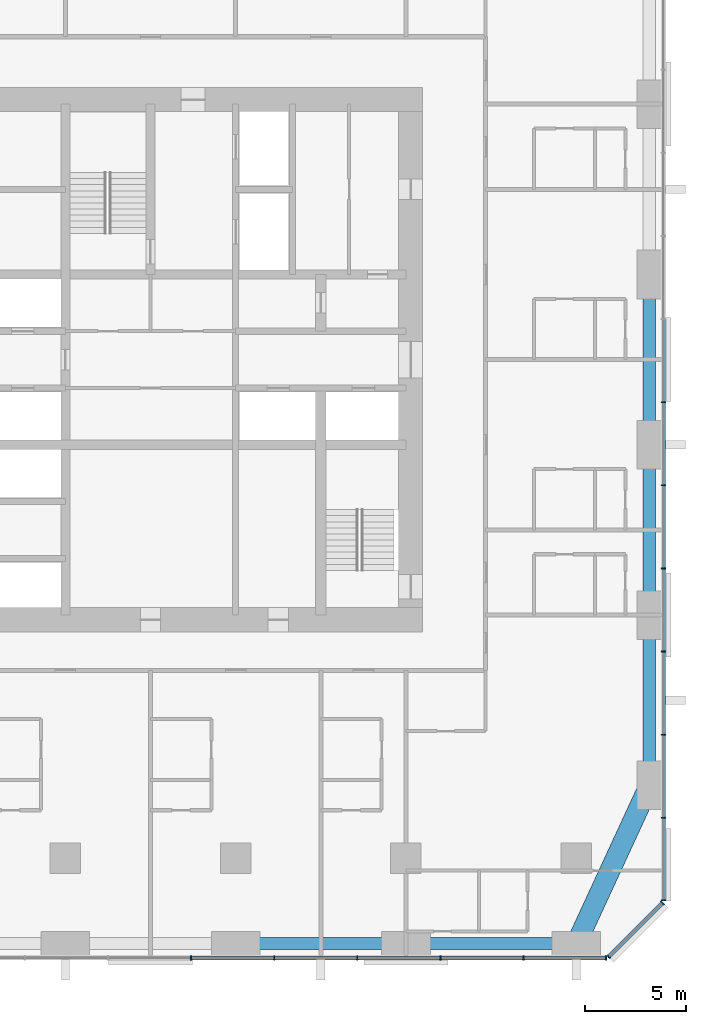
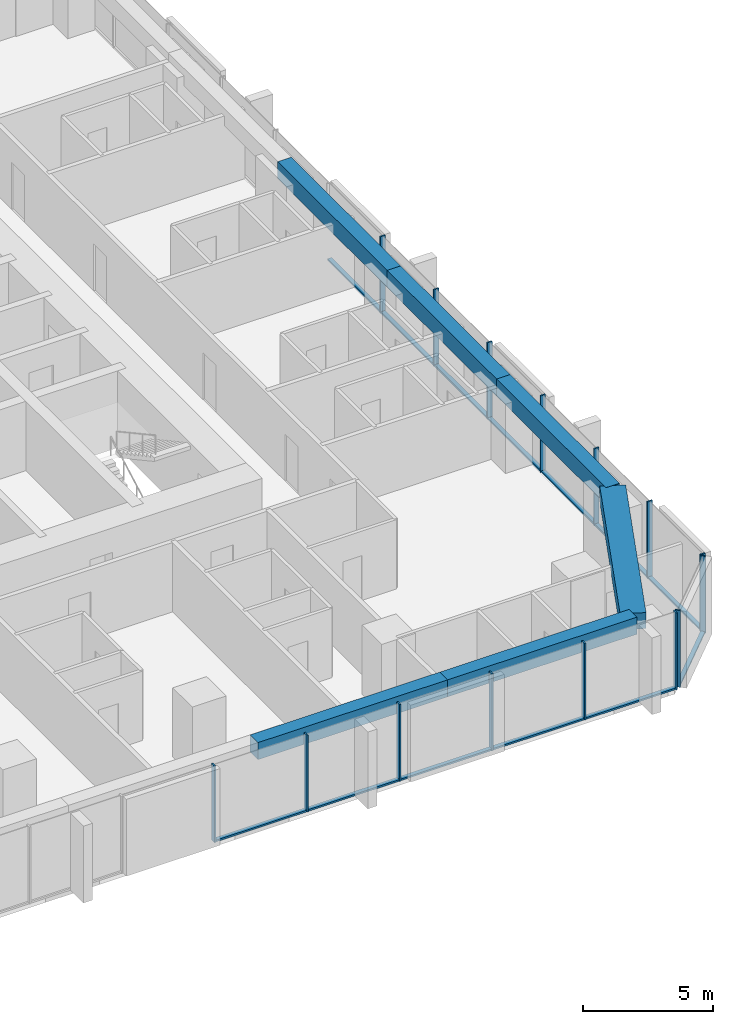
# One storey, part 4 of 14: 28 members, 6 beams, 3 elements without a shape of their own.
"""IFC4 building model written with IfcOpenShell, lengths in metres."""

from ifc_helpers import new_model, si_unit, direction, frame, origin, origin_2d, place, context, subcontext, project, spatial, rectangle, extrude, material, material_profile, profile_set, type_object, element, aggregate, save


model = new_model("IFC4")

# Units and contexts
model_context = context("Model", 3, precision=1e-05, world=origin(), true_north=direction((0.0, 1.0)))
body_context = subcontext(model_context, "Body", "Model", "MODEL_VIEW")
ifc_project = project(units=[si_unit("LENGTHUNIT", "METRE"), si_unit("AREAUNIT", "SQUARE_METRE"), si_unit("VOLUMEUNIT", "CUBIC_METRE"), si_unit("PLANEANGLEUNIT", "RADIAN"), si_unit("MASSUNIT", "GRAM", prefix="KILO")], contexts=[model_context])

# Site, building, storey
site_placement = place(None, origin())
site = spatial("IfcSite", under=ifc_project, at=site_placement, CompositionType="ELEMENT")
building_placement = place(site_placement, origin())
building = spatial("IfcBuilding", under=site, at=building_placement, Name="Dunama Terrace Hotel", CompositionType="ELEMENT")
storey_placement = place(building_placement, frame((0.0, 0.0, 104.39990234375)))
storey = spatial("IfcBuildingStorey", under=building, at=storey_placement, Name="L26", CompositionType="ELEMENT", Elevation=104.39990234375)

# Curtain wall, members
ifc_material_1 = material(Name="Aluminium curtain wall system", Category="aluminium")
curtain_wall_type = type_object("IfcCurtainWallType", Name="Unitised fritted glass wall CW-B", PredefinedType="NOTDEFINED", material=ifc_material_1)
curtain_wall_1_placement = place(storey_placement, origin())
curtain_wall_1 = element("IfcCurtainWall", 1, at=curtain_wall_1_placement, inside=storey, type_object=curtain_wall_type, Name="Unitised fritted glass wall CW-B L26", PredefinedType="NOTDEFINED")
ifc_material_2 = material(Name="Aluminium mullion", Category="aluminium")
ifc_material_profile_1 = material_profile(ifc_material_2, rectangle(XDim=0.06494140625, YDim=0.219970703125, at=origin_2d()), Name="CWB MULLION 65X220")
ifc_profile_set_1 = profile_set([ifc_material_profile_1], Name="Aluminium mullion")
member_type_1 = type_object("IfcMemberType", Name="CWB mullion 65x220", PredefinedType="MULLION", material=ifc_profile_set_1)
member_1_placement = place(storey_placement, frame((31.39990234375, -0.110107421875, 0.0), z_axis=(0.0, 0.0, 1.0), x_axis=(1.0, 0.0, 0.0)))
member_1 = element("IfcMember", 2, at=member_1_placement, type_object=member_type_1, Name="CWB mullion", PredefinedType="MULLION", context=body_context, shape_type="SweptSolid", body=[
    extrude(rectangle(XDim=0.06494140625, YDim=0.219970703125, at=origin_2d()), origin(), (0.0, 0.0, 1.0), 3.60009765625),
])
member_2_placement = place(storey_placement, frame((35.5, -0.110107421875, 0.0), z_axis=(0.0, 0.0, 1.0), x_axis=(1.0, 0.0, 0.0)))
member_2 = element("IfcMember", 3, at=member_2_placement, type_object=member_type_1, Name="CWB mullion", PredefinedType="MULLION", context=body_context, shape_type="SweptSolid", body=[
    extrude(rectangle(XDim=0.06494140625, YDim=0.219970703125, at=origin_2d()), origin(), (0.0, 0.0, 1.0), 3.60009765625),
])
member_3_placement = place(storey_placement, frame((39.60009765625, -0.110107421875, 0.0), z_axis=(0.0, 0.0, 1.0), x_axis=(1.0, 0.0, 0.0)))
member_3 = element("IfcMember", 4, at=member_3_placement, type_object=member_type_1, Name="CWB mullion", PredefinedType="MULLION", context=body_context, shape_type="SweptSolid", body=[
    extrude(rectangle(XDim=0.06494140625, YDim=0.219970703125, at=origin_2d()), origin(), (0.0, 0.0, 1.0), 3.60009765625),
])
member_4_placement = place(storey_placement, frame((43.699951171875, -0.110107421875, 0.0), z_axis=(0.0, 0.0, 1.0), x_axis=(1.0, 0.0, 0.0)))
member_4 = element("IfcMember", 5, at=member_4_placement, type_object=member_type_1, Name="CWB mullion", PredefinedType="MULLION", context=body_context, shape_type="SweptSolid", body=[
    extrude(rectangle(XDim=0.06494140625, YDim=0.219970703125, at=origin_2d()), origin(), (0.0, 0.0, 1.0), 3.60009765625),
])
member_5_placement = place(storey_placement, frame((47.800048828125, -0.110107421875, 0.0), z_axis=(0.0, 0.0, 1.0), x_axis=(1.0, 0.0, 0.0)))
member_5 = element("IfcMember", 6, at=member_5_placement, type_object=member_type_1, Name="CWB mullion", PredefinedType="MULLION", context=body_context, shape_type="SweptSolid", body=[
    extrude(rectangle(XDim=0.06494140625, YDim=0.219970703125, at=origin_2d()), origin(), (0.0, 0.0, 1.0), 3.60009765625),
])
member_6_placement = place(storey_placement, frame((51.866943359375, -0.110107421875, 0.0), z_axis=(0.0, 0.0, 1.0), x_axis=(1.0, 0.0, 0.0)))
member_6 = element("IfcMember", 7, at=member_6_placement, type_object=member_type_1, Name="CWB mullion", PredefinedType="MULLION", context=body_context, shape_type="SweptSolid", body=[
    extrude(rectangle(XDim=0.06494140625, YDim=0.219970703125, at=origin_2d()), origin(), (0.0, 0.0, 1.0), 3.60009765625),
])

curtain_wall_2_placement = place(storey_placement, origin())
curtain_wall_2 = element("IfcCurtainWall", 8, at=curtain_wall_2_placement, inside=storey, type_object=curtain_wall_type, Name="Unitised fritted glass wall CW-B L26", PredefinedType="NOTDEFINED")
member_7_placement = place(storey_placement, frame((52.0009765625, -0.054931640625, 0.0), z_axis=(0.0, 0.0, 1.0), x_axis=(0.707106781187, 0.707106781187, 0.0)))
member_7 = element("IfcMember", 9, at=member_7_placement, type_object=member_type_1, Name="CWB mullion", PredefinedType="MULLION", context=body_context, shape_type="SweptSolid", body=[
    extrude(rectangle(XDim=0.06494140625, YDim=0.219970703125, at=origin_2d()), origin(), (0.0, 0.0, 1.0), 3.60009765625),
])
member_8_placement = place(storey_placement, frame((54.655029296875, 2.59912109375, 0.0), z_axis=(0.0, 0.0, 1.0), x_axis=(0.707106781187, 0.707106781187, 0.0)))
member_8 = element("IfcMember", 10, at=member_8_placement, type_object=member_type_1, Name="CWB mullion", PredefinedType="MULLION", context=body_context, shape_type="SweptSolid", body=[
    extrude(rectangle(XDim=0.06494140625, YDim=0.219970703125, at=origin_2d()), origin(), (0.0, 0.0, 1.0), 3.60009765625),
])

curtain_wall_3_placement = place(storey_placement, origin())
curtain_wall_3 = element("IfcCurtainWall", 11, at=curtain_wall_3_placement, inside=storey, type_object=curtain_wall_type, Name="Unitised fritted glass wall CW-B L26", PredefinedType="NOTDEFINED")
member_9_placement = place(storey_placement, frame((54.7099609375, 2.73291015625, 0.0), z_axis=(0.0, 0.0, 1.0), x_axis=(0.0, 1.0, 0.0)))
member_9 = element("IfcMember", 12, at=member_9_placement, type_object=member_type_1, Name="CWB mullion", PredefinedType="MULLION", context=body_context, shape_type="SweptSolid", body=[
    extrude(rectangle(XDim=0.06494140625, YDim=0.219970703125, at=origin_2d()), origin(), (0.0, 0.0, 1.0), 3.60009765625),
])
member_10_placement = place(storey_placement, frame((54.7099609375, 6.800048828125, 0.0), z_axis=(0.0, 0.0, 1.0), x_axis=(0.0, 1.0, 0.0)))
member_10 = element("IfcMember", 13, at=member_10_placement, type_object=member_type_1, Name="CWB mullion", PredefinedType="MULLION", context=body_context, shape_type="SweptSolid", body=[
    extrude(rectangle(XDim=0.06494140625, YDim=0.219970703125, at=origin_2d()), origin(), (0.0, 0.0, 1.0), 3.60009765625),
])
member_11_placement = place(storey_placement, frame((54.7099609375, 10.89990234375, 0.0), z_axis=(0.0, 0.0, 1.0), x_axis=(0.0, 1.0, 0.0)))
member_11 = element("IfcMember", 14, at=member_11_placement, type_object=member_type_1, Name="CWB mullion", PredefinedType="MULLION", context=body_context, shape_type="SweptSolid", body=[
    extrude(rectangle(XDim=0.06494140625, YDim=0.219970703125, at=origin_2d()), origin(), (0.0, 0.0, 1.0), 3.60009765625),
])
member_12_placement = place(storey_placement, frame((54.7099609375, 15.0, 0.0), z_axis=(0.0, 0.0, 1.0), x_axis=(0.0, 1.0, 0.0)))
member_12 = element("IfcMember", 15, at=member_12_placement, type_object=member_type_1, Name="CWB mullion", PredefinedType="MULLION", context=body_context, shape_type="SweptSolid", body=[
    extrude(rectangle(XDim=0.06494140625, YDim=0.219970703125, at=origin_2d()), origin(), (0.0, 0.0, 1.0), 3.60009765625),
])
member_13_placement = place(storey_placement, frame((54.7099609375, 19.10009765625, 0.0), z_axis=(0.0, 0.0, 1.0), x_axis=(0.0, 1.0, 0.0)))
member_13 = element("IfcMember", 16, at=member_13_placement, type_object=member_type_1, Name="CWB mullion", PredefinedType="MULLION", context=body_context, shape_type="SweptSolid", body=[
    extrude(rectangle(XDim=0.06494140625, YDim=0.219970703125, at=origin_2d()), origin(), (0.0, 0.0, 1.0), 3.60009765625),
])
member_14_placement = place(storey_placement, frame((54.7099609375, 23.199951171875, 0.0), z_axis=(0.0, 0.0, 1.0), x_axis=(0.0, 1.0, 0.0)))
member_14 = element("IfcMember", 17, at=member_14_placement, type_object=member_type_1, Name="CWB mullion", PredefinedType="MULLION", context=body_context, shape_type="SweptSolid", body=[
    extrude(rectangle(XDim=0.06494140625, YDim=0.219970703125, at=origin_2d()), origin(), (0.0, 0.0, 1.0), 3.60009765625),
])
member_15_placement = place(storey_placement, frame((54.7099609375, 27.300048828125, 0.0), z_axis=(0.0, 0.0, 1.0), x_axis=(0.0, 1.0, 0.0)))
member_15 = element("IfcMember", 18, at=member_15_placement, type_object=member_type_1, Name="CWB mullion", PredefinedType="MULLION", context=body_context, shape_type="SweptSolid", body=[
    extrude(rectangle(XDim=0.06494140625, YDim=0.219970703125, at=origin_2d()), origin(), (0.0, 0.0, 1.0), 3.60009765625),
])

# Member
ifc_material_3 = material(Name="Aluminium transom", Category="aluminium")
ifc_material_profile_2 = material_profile(ifc_material_3, rectangle(XDim=0.179931640625, YDim=0.080078125, at=origin_2d()), Name="CWB TRANSOM 180X80")
ifc_profile_set_2 = profile_set([ifc_material_profile_2], Name="Aluminium transom")
member_type_2 = type_object("IfcMemberType", Name="CWB transom 180x80", PredefinedType="USERDEFINED", material=ifc_profile_set_2)
member_16_placement = place(storey_placement, frame((31.431884765625, -0.110107421875, 0.0400390625), z_axis=(1.0, 0.0, 0.0), x_axis=(0.0, 1.0, 0.0)))
member_16 = element("IfcMember", 19, at=member_16_placement, type_object=member_type_2, Name="CWB transom", ObjectType="TRANSOM", PredefinedType="USERDEFINED", context=body_context, shape_type="SweptSolid", body=[
    extrude(rectangle(XDim=0.179931640625, YDim=0.080078125, at=origin_2d()), origin(), (0.0, 0.0, 1.0), 4.0361328125),
])

member_17_placement = place(storey_placement, frame((35.531982421875, -0.110107421875, 0.0400390625), z_axis=(1.0, 0.0, 0.0), x_axis=(0.0, 1.0, 0.0)))
member_17 = element("IfcMember", 20, at=member_17_placement, type_object=member_type_2, Name="CWB transom", ObjectType="TRANSOM", PredefinedType="USERDEFINED", context=body_context, shape_type="SweptSolid", body=[
    extrude(rectangle(XDim=0.179931640625, YDim=0.080078125, at=origin_2d()), origin(), (0.0, 0.0, 1.0), 4.0361328125),
])

member_18_placement = place(storey_placement, frame((39.633056640625, -0.110107421875, 0.0400390625), z_axis=(1.0, 0.0, 0.0), x_axis=(0.0, 1.0, 0.0)))
member_18 = element("IfcMember", 21, at=member_18_placement, type_object=member_type_2, Name="CWB transom", ObjectType="TRANSOM", PredefinedType="USERDEFINED", context=body_context, shape_type="SweptSolid", body=[
    extrude(rectangle(XDim=0.179931640625, YDim=0.080078125, at=origin_2d()), origin(), (0.0, 0.0, 1.0), 4.034912109375),
])

member_19_placement = place(storey_placement, frame((43.73291015625, -0.110107421875, 0.0400390625), z_axis=(1.0, 0.0, 0.0), x_axis=(0.0, 1.0, 0.0)))
member_19 = element("IfcMember", 22, at=member_19_placement, type_object=member_type_2, Name="CWB transom", ObjectType="TRANSOM", PredefinedType="USERDEFINED", context=body_context, shape_type="SweptSolid", body=[
    extrude(rectangle(XDim=0.179931640625, YDim=0.080078125, at=origin_2d()), origin(), (0.0, 0.0, 1.0), 4.0341796875),
])

member_20_placement = place(storey_placement, frame((47.83203125, -0.110107421875, 0.0400390625), z_axis=(1.0, 0.0, 0.0), x_axis=(0.0, 1.0, 0.0)))
member_20 = element("IfcMember", 23, at=member_20_placement, type_object=member_type_2, Name="CWB transom", ObjectType="TRANSOM", PredefinedType="USERDEFINED", context=body_context, shape_type="SweptSolid", body=[
    extrude(rectangle(XDim=0.179931640625, YDim=0.080078125, at=origin_2d()), origin(), (0.0, 0.0, 1.0), 4.0029296875),
])

aggregate(curtain_wall_1, [member_1, member_2, member_3, member_4, member_5, member_6, member_16, member_17, member_18, member_19, member_20])

member_21_placement = place(storey_placement, frame((52.02392578125, -0.031982421875, 0.0400390625), z_axis=(0.707139876915, 0.707073683909, 0.0), x_axis=(-0.707073683909, 0.707139876915, 0.0)))
member_21 = element("IfcMember", 24, at=member_21_placement, type_object=member_type_2, Name="CWB transom", ObjectType="TRANSOM", PredefinedType="USERDEFINED", context=body_context, shape_type="SweptSolid", body=[
    extrude(rectangle(XDim=0.179931640625, YDim=0.080078125, at=origin_2d()), origin(), (0.0, 0.0, 1.0), 3.688232421875),
])

aggregate(curtain_wall_2, [member_7, member_8, member_21])

member_22_placement = place(storey_placement, frame((54.7099609375, 2.764892578125, 0.0400390625), z_axis=(0.0, 1.0, 0.0), x_axis=(-1.0, 0.0, 0.0)))
member_22 = element("IfcMember", 25, at=member_22_placement, type_object=member_type_2, Name="CWB transom", ObjectType="TRANSOM", PredefinedType="USERDEFINED", context=body_context, shape_type="SweptSolid", body=[
    extrude(rectangle(XDim=0.179931640625, YDim=0.080078125, at=origin_2d()), origin(), (0.0, 0.0, 1.0), 4.003173828125),
])

member_23_placement = place(storey_placement, frame((54.7099609375, 6.83203125, 0.0400390625), z_axis=(0.0, 1.0, 0.0), x_axis=(-1.0, 0.0, 0.0)))
member_23 = element("IfcMember", 26, at=member_23_placement, type_object=member_type_2, Name="CWB transom", ObjectType="TRANSOM", PredefinedType="USERDEFINED", context=body_context, shape_type="SweptSolid", body=[
    extrude(rectangle(XDim=0.179931640625, YDim=0.080078125, at=origin_2d()), origin(), (0.0, 0.0, 1.0), 4.034912109375),
])

member_24_placement = place(storey_placement, frame((54.7099609375, 10.93310546875, 0.0400390625), z_axis=(0.0, 1.0, 0.0), x_axis=(-1.0, 0.0, 0.0)))
member_24 = element("IfcMember", 27, at=member_24_placement, type_object=member_type_2, Name="CWB transom", ObjectType="TRANSOM", PredefinedType="USERDEFINED", context=body_context, shape_type="SweptSolid", body=[
    extrude(rectangle(XDim=0.179931640625, YDim=0.080078125, at=origin_2d()), origin(), (0.0, 0.0, 1.0), 4.033935546875),
])

member_25_placement = place(storey_placement, frame((54.7099609375, 15.031982421875, 0.0400390625), z_axis=(0.0, 1.0, 0.0), x_axis=(-1.0, 0.0, 0.0)))
member_25 = element("IfcMember", 28, at=member_25_placement, type_object=member_type_2, Name="CWB transom", ObjectType="TRANSOM", PredefinedType="USERDEFINED", context=body_context, shape_type="SweptSolid", body=[
    extrude(rectangle(XDim=0.179931640625, YDim=0.080078125, at=origin_2d()), origin(), (0.0, 0.0, 1.0), 4.034912109375),
])

member_26_placement = place(storey_placement, frame((54.7099609375, 19.132080078125, 0.0400390625), z_axis=(0.0, 1.0, 0.0), x_axis=(-1.0, 0.0, 0.0)))
member_26 = element("IfcMember", 29, at=member_26_placement, type_object=member_type_2, Name="CWB transom", ObjectType="TRANSOM", PredefinedType="USERDEFINED", context=body_context, shape_type="SweptSolid", body=[
    extrude(rectangle(XDim=0.179931640625, YDim=0.080078125, at=origin_2d()), origin(), (0.0, 0.0, 1.0), 4.035888671875),
])

member_27_placement = place(storey_placement, frame((54.7099609375, 23.23193359375, 0.0400390625), z_axis=(0.0, 1.0, 0.0), x_axis=(-1.0, 0.0, 0.0)))
member_27 = element("IfcMember", 30, at=member_27_placement, type_object=member_type_2, Name="CWB transom", ObjectType="TRANSOM", PredefinedType="USERDEFINED", context=body_context, shape_type="SweptSolid", body=[
    extrude(rectangle(XDim=0.179931640625, YDim=0.080078125, at=origin_2d()), origin(), (0.0, 0.0, 1.0), 4.03515625),
])

member_28_placement = place(storey_placement, frame((54.7099609375, 27.33203125, 0.0400390625), z_axis=(0.0, 1.0, 0.0), x_axis=(-1.0, 0.0, 0.0)))
member_28 = element("IfcMember", 31, at=member_28_placement, type_object=member_type_2, Name="CWB transom", ObjectType="TRANSOM", PredefinedType="USERDEFINED", context=body_context, shape_type="SweptSolid", body=[
    extrude(rectangle(XDim=0.179931640625, YDim=0.080078125, at=origin_2d()), origin(), (0.0, 0.0, 1.0), 4.034912109375),
])

aggregate(curtain_wall_3, [member_9, member_10, member_11, member_12, member_13, member_14, member_15, member_22, member_23, member_24, member_25, member_26, member_27, member_28])

# Beams
ifc_material_4 = material(Name="Concrete C50/60", Category="concrete")
ifc_material_profile_3 = material_profile(ifc_material_4, rectangle(XDim=1.0, YDim=0.75, at=origin_2d()), Name="RC 1000x750")
ifc_profile_set_3 = profile_set([ifc_material_profile_3], Name="Concrete C50/60")
beam_type_1 = type_object("IfcBeamType", Name="Edge beam RC 1000x750", PredefinedType="SPANDREL", material=ifc_profile_set_3)
beam_1_placement = place(storey_placement, frame((50.39990234375, 0.60009765625, 3.22509765625), z_axis=(0.419076199598, 0.907951066374, 0.0), x_axis=(-0.907951066374, 0.419076199598, 0.0)))
element("IfcBeam", 32, at=beam_1_placement, inside=storey, type_object=beam_type_1, Name="Corner edge beam under L27", PredefinedType="SPANDREL", context=body_context, shape_type="SweptSolid", body=[
    extrude(rectangle(XDim=1.0, YDim=0.75, at=origin_2d()), origin(), (0.0, 0.0, 1.0), 8.590576171875),
])
ifc_material_5 = material(Name="Concrete C40/50", Category="concrete")
ifc_material_profile_4 = material_profile(ifc_material_5, rectangle(XDim=0.60009765625, YDim=0.800048828125, at=origin_2d()), Name="RC 600x800")
ifc_profile_set_4 = profile_set([ifc_material_profile_4], Name="Concrete C40/50")
beam_type_2 = type_object("IfcBeamType", Name="Edge beam RC 600x800", PredefinedType="SPANDREL", material=ifc_profile_set_4)
beam_2_placement = place(storey_placement, frame((54.0, 8.39990234375, 3.2001953125), z_axis=(0.0, 1.0, 0.0), x_axis=(-1.0, 0.0, 0.0)))
element("IfcBeam", 33, at=beam_2_placement, inside=storey, type_object=beam_type_2, Name="Edge beam under L27", PredefinedType="SPANDREL", context=body_context, shape_type="SweptSolid", body=[
    extrude(rectangle(XDim=0.60009765625, YDim=0.800048828125, at=origin_2d()), origin(), (0.0, 0.0, 1.0), 8.400146484375),
])
beam_3_placement = place(storey_placement, frame((54.0, 16.800048828125, 3.2001953125), z_axis=(0.0, 1.0, 0.0), x_axis=(-1.0, 0.0, 0.0)))
element("IfcBeam", 34, at=beam_3_placement, inside=storey, type_object=beam_type_2, Name="Edge beam under L27", PredefinedType="SPANDREL", context=body_context, shape_type="SweptSolid", body=[
    extrude(rectangle(XDim=0.60009765625, YDim=0.800048828125, at=origin_2d()), origin(), (0.0, 0.0, 1.0), 8.39990234375),
])
beam_4_placement = place(storey_placement, frame((54.0, 25.199951171875, 3.2001953125), z_axis=(0.0, 1.0, 0.0), x_axis=(-1.0, 0.0, 0.0)))
element("IfcBeam", 35, at=beam_4_placement, inside=storey, type_object=beam_type_2, Name="Edge beam under L27", PredefinedType="SPANDREL", context=body_context, shape_type="SweptSolid", body=[
    extrude(rectangle(XDim=0.60009765625, YDim=0.800048828125, at=origin_2d()), origin(), (0.0, 0.0, 1.0), 8.400146484375),
])
for number, where, z_axis, x_axis, name in (
    (36, (33.60009765625, 0.60009765625, 3.2001953125), (1.0, 0.0, 0.0), (0.0, 1.0, 0.0), "Edge beam under L27"),
    (37, (42.0, 0.60009765625, 3.2001953125), (1.0, 0.0, 0.0), (0.0, 1.0, 0.0), "Edge beam under L27"),
):
    element("IfcBeam", number, at=place(storey_placement, frame(where, z_axis=z_axis, x_axis=x_axis)), inside=storey, type_object=beam_type_2, Name=name, PredefinedType="SPANDREL", context=body_context, shape_type="SweptSolid", body=[
        extrude(rectangle(XDim=0.60009765625, YDim=0.800048828125, at=origin_2d()), origin(), (0.0, 0.0, 1.0), 8.39990234375),
    ])

save(model, "model.ifc")
